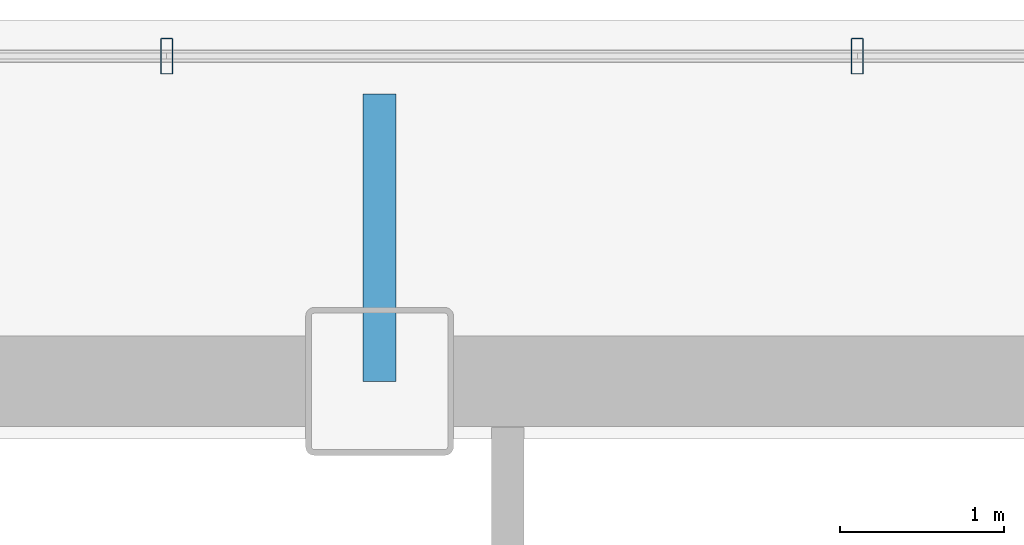
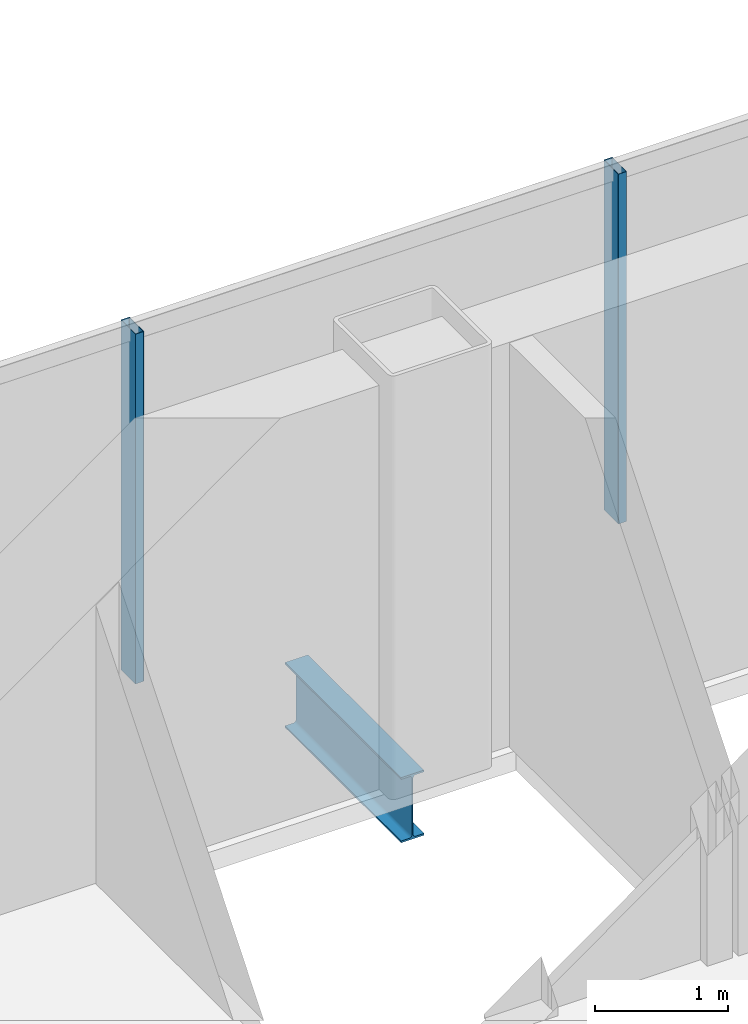
# One storey, part 11 of 20: 2 members, 1 beam, 1 element without a shape of its own.
"""IFC4 building model written with IfcOpenShell, lengths in metres."""

from ifc_helpers import new_model, si_unit, direction, frame, origin, origin_2d, place, context, subcontext, project, spatial, hollow_rectangle, i_section, extrude, material, material_profile, profile_set, type_object, element, aggregate, save


model = new_model("IFC4")

# Units and contexts
model_context = context("Model", 3, precision=1e-05, world=origin(), true_north=direction((0.0, 1.0)))
body_context = subcontext(model_context, "Body", "Model", "MODEL_VIEW")
ifc_project = project(units=[si_unit("LENGTHUNIT", "METRE"), si_unit("AREAUNIT", "SQUARE_METRE"), si_unit("VOLUMEUNIT", "CUBIC_METRE"), si_unit("PLANEANGLEUNIT", "RADIAN"), si_unit("MASSUNIT", "GRAM", prefix="KILO")], contexts=[model_context])

# Site, building, storey
site_placement = place(None, origin())
site = spatial("IfcSite", under=ifc_project, at=site_placement, CompositionType="ELEMENT")
building_placement = place(site_placement, origin())
building = spatial("IfcBuilding", under=site, at=building_placement, Name="Noeulbin Bourse Tower", CompositionType="ELEMENT")
storey_placement = place(building_placement, frame((0.0, 0.0, 118.800048828125)))
storey = spatial("IfcBuildingStorey", under=building, at=storey_placement, Name="L29", CompositionType="ELEMENT", Elevation=118.800048828125)

# Beam
ifc_material_1 = material(Name="Steel S355", Category="steel")
ifc_material_profile_1 = material_profile(ifc_material_1, i_section(OverallWidth=0.199951171875, OverallDepth=0.60009765625, WebThickness=0.010986328125, FlangeThickness=0.01708984375, FilletRadius=0.02197265625, at=origin_2d()), Name="H-600x200x11x17", Category="LoadBearing")
ifc_profile_set_1 = profile_set([ifc_material_profile_1], Name="Steel S355")
beam_type = type_object("IfcBeamType", Name="BM-GRD-600", PredefinedType="USERDEFINED", material=ifc_profile_set_1)
beam_placement = place(storey_placement, frame((31.0, 38.300048828125, -0.47998046875), z_axis=(0.0, 1.0, 0.0), x_axis=(-1.0, 0.0, 0.0)))
element("IfcBeam", 1, at=beam_placement, inside=storey, type_object=beam_type, Name="Tower Primary Girder NS L29-3.4", ObjectType="GIRDER", PredefinedType="USERDEFINED", context=body_context, shape_type="SweptSolid", body=[
    extrude(i_section(OverallWidth=0.199951171875, OverallDepth=0.60009765625, WebThickness=0.010986328125, FlangeThickness=0.01708984375, FilletRadius=0.02197265625, at=origin_2d()), origin(), (0.0, 0.0, 1.0), 1.75),
])

# Curtain wall, members
ifc_material_2 = material(Name="Dark Tinted Triple Glazing", Category="glass")
curtain_wall_type = type_object("IfcCurtainWallType", Name="CW-SYS-3", PredefinedType="NOTDEFINED", material=ifc_material_2)
curtain_wall_placement = place(storey_placement, origin())
curtain_wall = element("IfcCurtainWall", 2, at=curtain_wall_placement, inside=storey, type_object=curtain_wall_type, Name="Unitised Curtain Wall CW-L29-N", PredefinedType="NOTDEFINED")
ifc_material_3 = material(Name="Anodised Aluminium 6063-T6", Category="aluminium")
ifc_material_profile_2 = material_profile(ifc_material_3, hollow_rectangle(XDim=0.074951171875, YDim=0.219970703125, WallThickness=0.0048828125, InnerFilletRadius=0.00244140625, OuterFilletRadius=0.0048828125, at=origin_2d()), Name="ALU-MULL-75x220x5", Category="LoadBearing")
ifc_profile_set_2 = profile_set([ifc_material_profile_2], Name="Anodised Aluminium 6063-T6")
member_type = type_object("IfcMemberType", Name="CW-SYS-3-MUL", PredefinedType="MULLION", material=ifc_profile_set_2)
member_1_placement = place(storey_placement, frame((29.7041015625, 40.280029296875, -0.02001953125), z_axis=(0.0, 0.0, 1.0), x_axis=(1.0, 0.0, 0.0)))
member_1 = element("IfcMember", 3, at=member_1_placement, type_object=member_type, Name="Curtain Wall Mullion CW-L29-N-M06", PredefinedType="MULLION", context=body_context, shape_type="SweptSolid", body=[
    extrude(hollow_rectangle(XDim=0.074951171875, YDim=0.219970703125, WallThickness=0.0048828125, InnerFilletRadius=0.00244140625, OuterFilletRadius=0.0048828125, at=origin_2d()), origin(), (0.0, 0.0, 1.0), 3.219970703125),
])
member_2_placement = place(storey_placement, frame((33.907958984375, 40.280029296875, -0.02001953125), z_axis=(0.0, 0.0, 1.0), x_axis=(1.0, 0.0, 0.0)))
member_2 = element("IfcMember", 4, at=member_2_placement, type_object=member_type, Name="Curtain Wall Mullion CW-L29-N-M07", PredefinedType="MULLION", context=body_context, shape_type="SweptSolid", body=[
    extrude(hollow_rectangle(XDim=0.074951171875, YDim=0.219970703125, WallThickness=0.0048828125, InnerFilletRadius=0.00244140625, OuterFilletRadius=0.0048828125, at=origin_2d()), origin(), (0.0, 0.0, 1.0), 3.219970703125),
])
aggregate(curtain_wall, [member_1, member_2])

save(model, "model.ifc")
